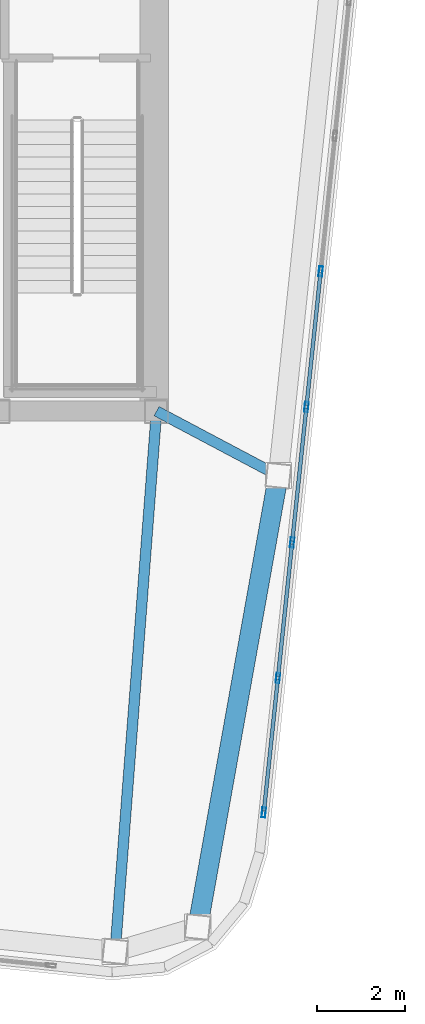
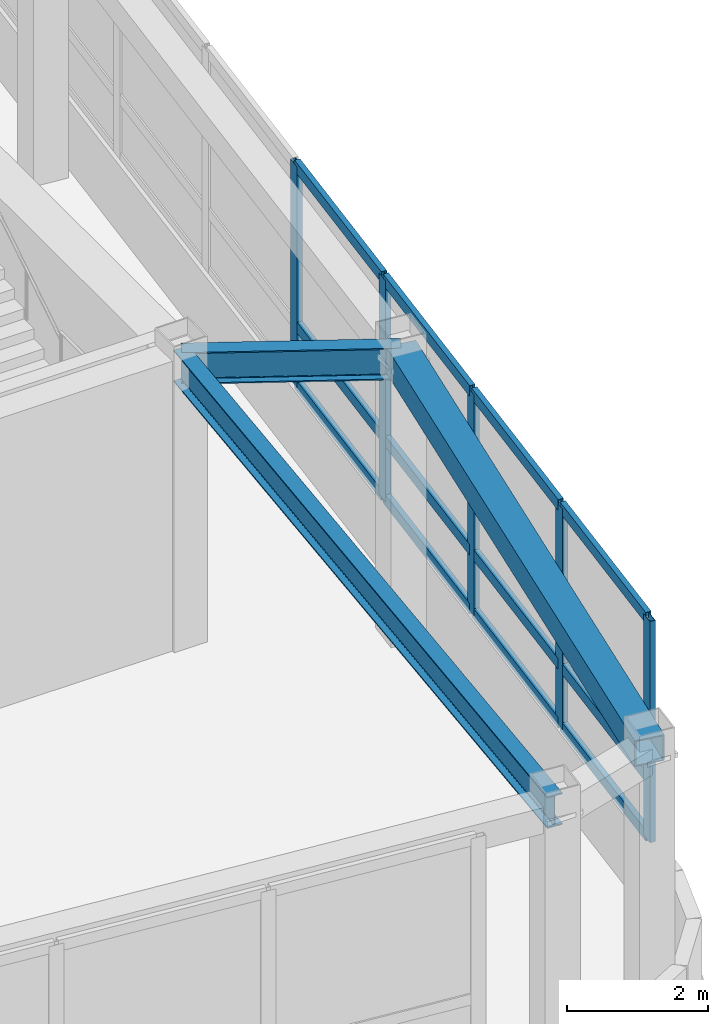
# One storey, part 11 of 23: 17 members, 3 beams, 1 element without a shape of its own.
"""IFC4 building model written with IfcOpenShell, lengths in metres."""

from ifc_helpers import new_model, si_unit, direction, frame, origin, origin_2d, place, context, subcontext, project, spatial, hollow_rectangle, i_section, extrude, material, layer, layer_set, material_profile, profile_set, type_object, element, aggregate, save


model = new_model("IFC4")

# Units and contexts
model_context = context("Model", 3, precision=1e-05, world=origin(), true_north=direction((0.0, 1.0)))
body_context = subcontext(model_context, "Body", "Model", "MODEL_VIEW")
ifc_project = project(units=[si_unit("LENGTHUNIT", "METRE"), si_unit("AREAUNIT", "SQUARE_METRE"), si_unit("VOLUMEUNIT", "CUBIC_METRE"), si_unit("PLANEANGLEUNIT", "RADIAN"), si_unit("MASSUNIT", "GRAM", prefix="KILO")], contexts=[model_context])

# Site, building, storey
site_placement = place(None, origin())
site = spatial("IfcSite", under=ifc_project, at=site_placement, CompositionType="ELEMENT")
building_placement = place(site_placement, origin())
building = spatial("IfcBuilding", under=site, at=building_placement, Name="Voryun Gate Residences", CompositionType="ELEMENT")
storey_placement = place(building_placement, frame((0.0, 0.0, 321.300048828125)))
storey = spatial("IfcBuildingStorey", under=building, at=storey_placement, Name="L79", CompositionType="ELEMENT", Elevation=321.300048828125)

# Beams
ifc_material_1 = material(Name="Steel SM355", Category="steel")
ifc_material_profile_1 = material_profile(ifc_material_1, hollow_rectangle(XDim=0.449951171875, YDim=0.449951171875, WallThickness=0.01806640625, at=origin_2d()), Name="BOX-450x450x18")
ifc_profile_set_1 = profile_set([ifc_material_profile_1], Name="Steel SM355")
beam_type_1 = type_object("IfcBeamType", Name="BM_CROWN_RING", PredefinedType="BEAM", material=ifc_profile_set_1)
beam_1_placement = place(storey_placement, frame((20.1328125, -19.083984375, 4.800048828125), z_axis=(0.175791452213, 0.984427430199, 0.0), x_axis=(-0.984427430199, 0.175791452213, 0.0)))
element("IfcBeam", 1, at=beam_1_placement, inside=storey, type_object=beam_type_1, Name="BM-L79-SPAND-07", PredefinedType="BEAM", context=body_context, shape_type="SweptSolid", body=[
    extrude(hollow_rectangle(XDim=0.449951171875, YDim=0.449951171875, WallThickness=0.01806640625, at=origin_2d()), origin(), (0.0, 0.0, 1.0), 10.384033203125),
])
ifc_material_2 = material(Name="Steel SM355", Category="steel")
ifc_material_profile_2 = material_profile(ifc_material_2, i_section(OverallWidth=0.239990234375, OverallDepth=0.550048828125, WebThickness=0.011962890625, FlangeThickness=0.02001953125, FilletRadius=0.01806640625, at=origin_2d()), Name="H-550x240x12x20")
ifc_profile_set_2 = profile_set([ifc_material_profile_2], Name="Steel SM355")
beam_type_2 = type_object("IfcBeamType", Name="BM_GIRD_550", PredefinedType="USERDEFINED", material=ifc_profile_set_2)
beam_2_placement = place(storey_placement, frame((19.199951171875, -7.39990234375, 4.75), z_axis=(-0.076459214337, -0.997072709757, 0.0), x_axis=(0.997072709757, -0.076459214337, 0.0)))
element("IfcBeam", 2, at=beam_2_placement, inside=storey, type_object=beam_type_2, Name="BM-L79-RAD-S6", ObjectType="GIRDER", PredefinedType="USERDEFINED", context=body_context, shape_type="SweptSolid", body=[
    extrude(i_section(OverallWidth=0.239990234375, OverallDepth=0.550048828125, WebThickness=0.011962890625, FlangeThickness=0.02001953125, FilletRadius=0.01806640625, at=origin_2d()), origin(), (0.0, 0.0, 1.0), 12.274169921875),
])
beam_3_placement = place(storey_placement, frame((19.199951171875, -7.39990234375, 4.75), z_axis=(0.883603317059, -0.468236241745, 0.0), x_axis=(0.468236241745, 0.883603317059, 0.0)))
element("IfcBeam", 3, at=beam_3_placement, inside=storey, type_object=beam_type_2, Name="BM-L79-RAD-E1", ObjectType="GIRDER", PredefinedType="USERDEFINED", context=body_context, shape_type="SweptSolid", body=[
    extrude(i_section(OverallWidth=0.239990234375, OverallDepth=0.550048828125, WebThickness=0.011962890625, FlangeThickness=0.02001953125, FilletRadius=0.01806640625, at=origin_2d()), origin(), (0.0, 0.0, 1.0), 3.12158203125),
])

# Curtain wall, members
ifc_material_3 = material(Name="Anodised aluminium", Category="aluminium")
ifc_layer = layer(ifc_material_3, 0.22998046875, Name="CW_SYS_LANTERN_DARK_GLASS")
ifc_layer_set = layer_set([ifc_layer], Name="Anodised aluminium")
curtain_wall_type = type_object("IfcCurtainWallType", Name="CW_SYS_LANTERN_DARK_GLASS", PredefinedType="NOTDEFINED", material=ifc_layer_set)
curtain_wall_placement = place(storey_placement, origin())
curtain_wall = element("IfcCurtainWall", 4, at=curtain_wall_placement, inside=storey, type_object=curtain_wall_type, Name="Curtain wall CW6-L79-16", PredefinedType="NOTDEFINED")
ifc_material_4 = material(Name="Anodised aluminium", Category="aluminium")
ifc_material_profile_3 = material_profile(ifc_material_4, hollow_rectangle(XDim=0.0849609375, YDim=0.22998046875, WallThickness=0.006103515625, at=origin_2d()), Name="ALU-MULL-230x85x6")
ifc_profile_set_3 = profile_set([ifc_material_profile_3], Name="Anodised aluminium")
member_type_1 = type_object("IfcMemberType", Name="CW_MULL_LANT", PredefinedType="MULLION", material=ifc_profile_set_3)
member_1_placement = place(storey_placement, frame((22.917236328125, -4.234375, 1.18994140625), z_axis=(0.0, 0.0, 1.0), x_axis=(0.994521943608, -0.104528004296, 0.0)))
member_1 = element("IfcMember", 5, at=member_1_placement, type_object=member_type_1, Name="CW6 mullion 6", PredefinedType="MULLION", context=body_context, shape_type="SweptSolid", body=[
    extrude(hollow_rectangle(XDim=0.0849609375, YDim=0.22998046875, WallThickness=0.006103515625, at=origin_2d()), origin(), (0.0, 0.0, 1.0), 3.8349609375),
])
member_2_placement = place(storey_placement, frame((22.594482421875, -7.305419921875, 1.18994140625), z_axis=(0.0, 0.0, 1.0), x_axis=(0.994521943608, -0.104528004296, 0.0)))
member_2 = element("IfcMember", 6, at=member_2_placement, type_object=member_type_1, Name="CW6 mullion 7", PredefinedType="MULLION", context=body_context, shape_type="SweptSolid", body=[
    extrude(hollow_rectangle(XDim=0.0849609375, YDim=0.22998046875, WallThickness=0.006103515625, at=origin_2d()), origin(), (0.0, 0.0, 1.0), 3.8349609375),
])
member_3_placement = place(storey_placement, frame((22.271728515625, -10.376220703125, 1.18994140625), z_axis=(0.0, 0.0, 1.0), x_axis=(0.994521943608, -0.104528004296, 0.0)))
member_3 = element("IfcMember", 7, at=member_3_placement, type_object=member_type_1, Name="CW6 mullion 8", PredefinedType="MULLION", context=body_context, shape_type="SweptSolid", body=[
    extrude(hollow_rectangle(XDim=0.0849609375, YDim=0.22998046875, WallThickness=0.006103515625, at=origin_2d()), origin(), (0.0, 0.0, 1.0), 3.8349609375),
])
member_4_placement = place(storey_placement, frame((21.948974609375, -13.447265625, 1.18994140625), z_axis=(0.0, 0.0, 1.0), x_axis=(0.994521943608, -0.104528004296, 0.0)))
member_4 = element("IfcMember", 8, at=member_4_placement, type_object=member_type_1, Name="CW6 mullion 9", PredefinedType="MULLION", context=body_context, shape_type="SweptSolid", body=[
    extrude(hollow_rectangle(XDim=0.0849609375, YDim=0.22998046875, WallThickness=0.006103515625, at=origin_2d()), origin(), (0.0, 0.0, 1.0), 3.8349609375),
])
member_5_placement = place(storey_placement, frame((21.629150390625, -16.48828125, 1.18994140625), z_axis=(0.0, 0.0, 1.0), x_axis=(0.994521943608, -0.104528004296, 0.0)))
member_5 = element("IfcMember", 9, at=member_5_placement, type_object=member_type_1, Name="CW6 mullion 10", PredefinedType="MULLION", context=body_context, shape_type="SweptSolid", body=[
    extrude(hollow_rectangle(XDim=0.0849609375, YDim=0.22998046875, WallThickness=0.006103515625, at=origin_2d()), origin(), (0.0, 0.0, 1.0), 3.8349609375),
])
ifc_material_5 = material(Name="Anodised aluminium", Category="aluminium")
ifc_material_profile_4 = material_profile(ifc_material_5, hollow_rectangle(XDim=0.0849609375, YDim=0.18994140625, WallThickness=0.006103515625, at=origin_2d()), Name="ALU-TRAN-190x85x6")
ifc_profile_set_4 = profile_set([ifc_material_profile_4], Name="Anodised aluminium")
member_type_2 = type_object("IfcMemberType", Name="CW_TRAN_LANT", PredefinedType="USERDEFINED", material=ifc_profile_set_4)
member_6_placement = place(storey_placement, frame((22.9140625, -4.26416015625, 1.219970703125), z_axis=(-0.104500100479, -0.994524876009, 0.0), x_axis=(0.994524876009, -0.104500100479, 0.0)))
member_6 = element("IfcMember", 10, at=member_6_placement, type_object=member_type_2, Name="CW6 transom 6.1", ObjectType="TRANSOM", PredefinedType="USERDEFINED", context=body_context, shape_type="SweptSolid", body=[
    extrude(hollow_rectangle(XDim=0.0849609375, YDim=0.18994140625, WallThickness=0.006103515625, at=origin_2d()), origin(), (0.0, 0.0, 1.0), 3.02783203125),
])
member_7_placement = place(storey_placement, frame((22.9140625, -4.26416015625, 2.239990234375), z_axis=(-0.104500100479, -0.994524876009, 0.0), x_axis=(0.994524876009, -0.104500100479, 0.0)))
member_7 = element("IfcMember", 11, at=member_7_placement, type_object=member_type_2, Name="CW6 transom 6.2", ObjectType="TRANSOM", PredefinedType="USERDEFINED", context=body_context, shape_type="SweptSolid", body=[
    extrude(hollow_rectangle(XDim=0.0849609375, YDim=0.18994140625, WallThickness=0.006103515625, at=origin_2d()), origin(), (0.0, 0.0, 1.0), 3.02783203125),
])
member_8_placement = place(storey_placement, frame((22.9140625, -4.26416015625, 4.994873046875), z_axis=(-0.104500100479, -0.994524876009, 0.0), x_axis=(0.994524876009, -0.104500100479, 0.0)))
member_8 = element("IfcMember", 12, at=member_8_placement, type_object=member_type_2, Name="CW6 transom 6.3", ObjectType="TRANSOM", PredefinedType="USERDEFINED", context=body_context, shape_type="SweptSolid", body=[
    extrude(hollow_rectangle(XDim=0.0849609375, YDim=0.18994140625, WallThickness=0.006103515625, at=origin_2d()), origin(), (0.0, 0.0, 1.0), 3.02783203125),
])
member_9_placement = place(storey_placement, frame((22.59130859375, -7.335205078125, 1.219970703125), z_axis=(-0.104579851732, -0.994516492881, 0.0), x_axis=(0.994516492881, -0.104579851732, 0.0)))
member_9 = element("IfcMember", 13, at=member_9_placement, type_object=member_type_2, Name="CW6 transom 7.1", ObjectType="TRANSOM", PredefinedType="USERDEFINED", context=body_context, shape_type="SweptSolid", body=[
    extrude(hollow_rectangle(XDim=0.0849609375, YDim=0.18994140625, WallThickness=0.006103515625, at=origin_2d()), origin(), (0.0, 0.0, 1.0), 3.02783203125),
])
member_10_placement = place(storey_placement, frame((22.59130859375, -7.335205078125, 2.239990234375), z_axis=(-0.104579851732, -0.994516492881, 0.0), x_axis=(0.994516492881, -0.104579851732, 0.0)))
member_10 = element("IfcMember", 14, at=member_10_placement, type_object=member_type_2, Name="CW6 transom 7.2", ObjectType="TRANSOM", PredefinedType="USERDEFINED", context=body_context, shape_type="SweptSolid", body=[
    extrude(hollow_rectangle(XDim=0.0849609375, YDim=0.18994140625, WallThickness=0.006103515625, at=origin_2d()), origin(), (0.0, 0.0, 1.0), 3.02783203125),
])
member_11_placement = place(storey_placement, frame((22.59130859375, -7.335205078125, 4.994873046875), z_axis=(-0.104579851732, -0.994516492881, 0.0), x_axis=(0.994516492881, -0.104579851732, 0.0)))
member_11 = element("IfcMember", 15, at=member_11_placement, type_object=member_type_2, Name="CW6 transom 7.3", ObjectType="TRANSOM", PredefinedType="USERDEFINED", context=body_context, shape_type="SweptSolid", body=[
    extrude(hollow_rectangle(XDim=0.0849609375, YDim=0.18994140625, WallThickness=0.006103515625, at=origin_2d()), origin(), (0.0, 0.0, 1.0), 3.02783203125),
])
member_12_placement = place(storey_placement, frame((22.2685546875, -10.406005859375, 1.219970703125), z_axis=(-0.104579851732, -0.994516492881, 0.0), x_axis=(0.994516492881, -0.104579851732, 0.0)))
member_12 = element("IfcMember", 16, at=member_12_placement, type_object=member_type_2, Name="CW6 transom 8.1", ObjectType="TRANSOM", PredefinedType="USERDEFINED", context=body_context, shape_type="SweptSolid", body=[
    extrude(hollow_rectangle(XDim=0.0849609375, YDim=0.18994140625, WallThickness=0.006103515625, at=origin_2d()), origin(), (0.0, 0.0, 1.0), 3.02783203125),
])
member_13_placement = place(storey_placement, frame((22.2685546875, -10.406005859375, 2.239990234375), z_axis=(-0.104579851732, -0.994516492881, 0.0), x_axis=(0.994516492881, -0.104579851732, 0.0)))
member_13 = element("IfcMember", 17, at=member_13_placement, type_object=member_type_2, Name="CW6 transom 8.2", ObjectType="TRANSOM", PredefinedType="USERDEFINED", context=body_context, shape_type="SweptSolid", body=[
    extrude(hollow_rectangle(XDim=0.0849609375, YDim=0.18994140625, WallThickness=0.006103515625, at=origin_2d()), origin(), (0.0, 0.0, 1.0), 3.02783203125),
])
member_14_placement = place(storey_placement, frame((22.2685546875, -10.406005859375, 4.994873046875), z_axis=(-0.104579851732, -0.994516492881, 0.0), x_axis=(0.994516492881, -0.104579851732, 0.0)))
member_14 = element("IfcMember", 18, at=member_14_placement, type_object=member_type_2, Name="CW6 transom 8.3", ObjectType="TRANSOM", PredefinedType="USERDEFINED", context=body_context, shape_type="SweptSolid", body=[
    extrude(hollow_rectangle(XDim=0.0849609375, YDim=0.18994140625, WallThickness=0.006103515625, at=origin_2d()), origin(), (0.0, 0.0, 1.0), 3.02783203125),
])
member_15_placement = place(storey_placement, frame((21.94580078125, -13.47705078125, 1.219970703125), z_axis=(-0.104566085446, -0.994517940398, 0.0), x_axis=(0.994517940398, -0.104566085446, 0.0)))
member_15 = element("IfcMember", 19, at=member_15_placement, type_object=member_type_2, Name="CW6 transom 9.1", ObjectType="TRANSOM", PredefinedType="USERDEFINED", context=body_context, shape_type="SweptSolid", body=[
    extrude(hollow_rectangle(XDim=0.0849609375, YDim=0.18994140625, WallThickness=0.006103515625, at=origin_2d()), origin(), (0.0, 0.0, 1.0), 2.997802734375),
])
member_16_placement = place(storey_placement, frame((21.94580078125, -13.47705078125, 2.239990234375), z_axis=(-0.104566085446, -0.994517940398, 0.0), x_axis=(0.994517940398, -0.104566085446, 0.0)))
member_16 = element("IfcMember", 20, at=member_16_placement, type_object=member_type_2, Name="CW6 transom 9.2", ObjectType="TRANSOM", PredefinedType="USERDEFINED", context=body_context, shape_type="SweptSolid", body=[
    extrude(hollow_rectangle(XDim=0.0849609375, YDim=0.18994140625, WallThickness=0.006103515625, at=origin_2d()), origin(), (0.0, 0.0, 1.0), 2.997802734375),
])
member_17_placement = place(storey_placement, frame((21.94580078125, -13.47705078125, 4.994873046875), z_axis=(-0.104566085446, -0.994517940398, 0.0), x_axis=(0.994517940398, -0.104566085446, 0.0)))
member_17 = element("IfcMember", 21, at=member_17_placement, type_object=member_type_2, Name="CW6 transom 9.3", ObjectType="TRANSOM", PredefinedType="USERDEFINED", context=body_context, shape_type="SweptSolid", body=[
    extrude(hollow_rectangle(XDim=0.0849609375, YDim=0.18994140625, WallThickness=0.006103515625, at=origin_2d()), origin(), (0.0, 0.0, 1.0), 2.997802734375),
])
aggregate(curtain_wall, [member_1, member_2, member_3, member_4, member_5, member_6, member_7, member_8, member_9, member_10, member_11, member_12, member_13, member_14, member_15, member_16, member_17])

save(model, "model.ifc")
